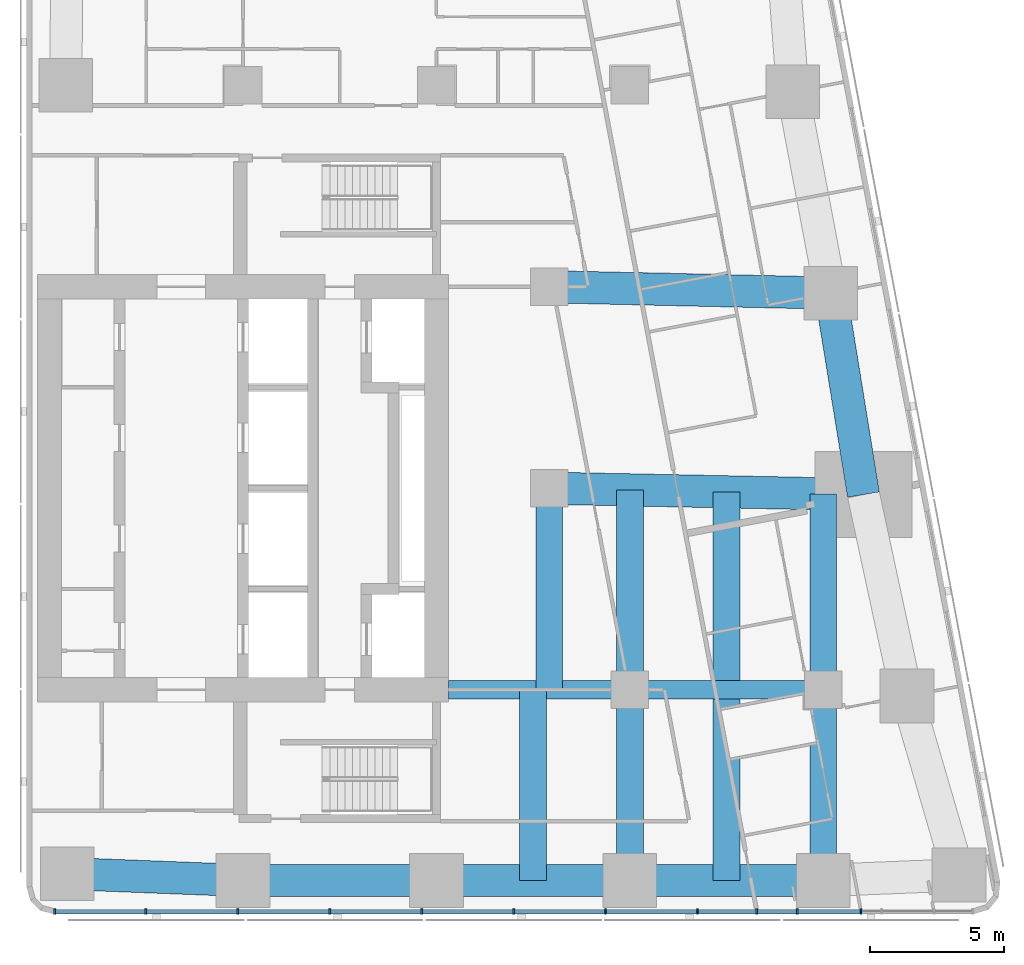
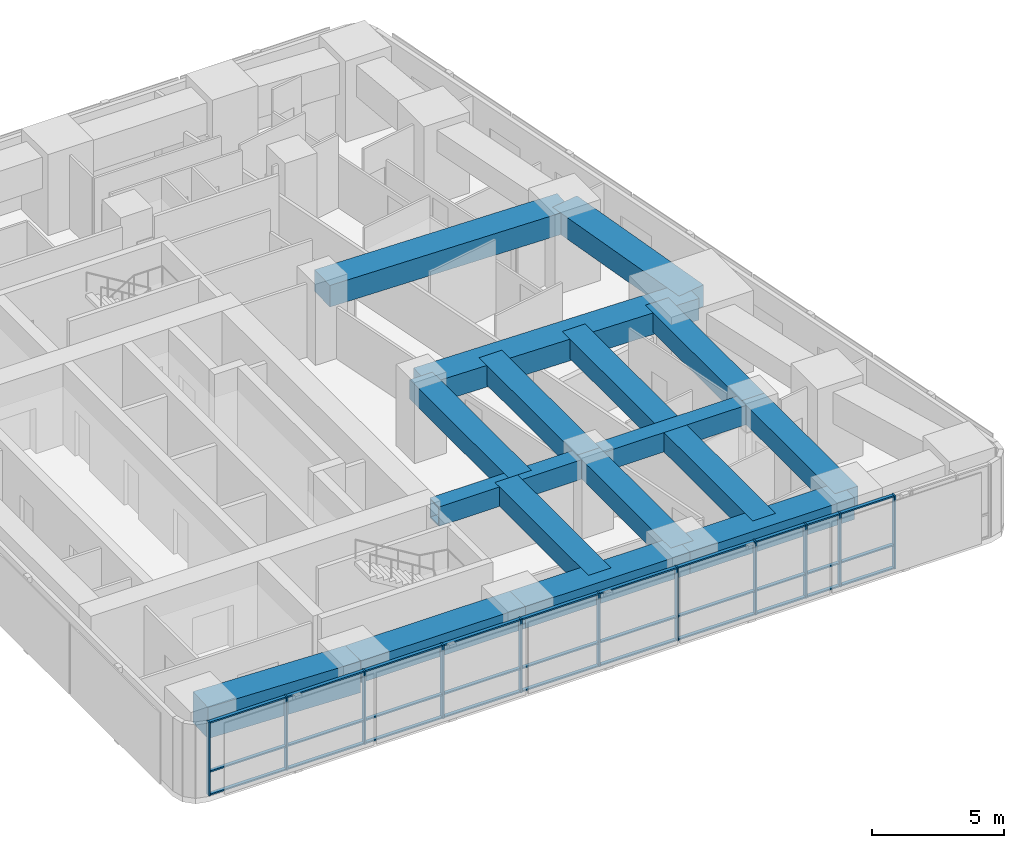
# One storey, part 2 of 10: 41 members, 17 beams, 1 element without a shape of its own.
"""IFC4 building model written with IfcOpenShell, lengths in metres."""

from ifc_helpers import new_model, si_unit, direction, frame, origin, origin_2d, place, context, subcontext, project, spatial, rectangle, hollow_rectangle, extrude, material, material_profile, profile_set, type_object, element, aggregate, save


model = new_model("IFC4")

# Units and contexts
model_context = context("Model", 3, precision=1e-05, world=origin(), true_north=direction((0.0, 1.0)))
body_context = subcontext(model_context, "Body", "Model", "MODEL_VIEW")
ifc_project = project(units=[si_unit("LENGTHUNIT", "METRE"), si_unit("AREAUNIT", "SQUARE_METRE"), si_unit("VOLUMEUNIT", "CUBIC_METRE"), si_unit("PLANEANGLEUNIT", "RADIAN"), si_unit("MASSUNIT", "GRAM", prefix="KILO")], contexts=[model_context])

# Site, building, storey
site_placement = place(None, origin())
site = spatial("IfcSite", under=ifc_project, at=site_placement, CompositionType="ELEMENT")
building_placement = place(site_placement, origin())
building = spatial("IfcBuilding", under=site, at=building_placement, Name="Sheger Commons Tower", CompositionType="ELEMENT")
storey_placement = place(building_placement, frame((0.0, 0.0, 292.85009765625)))
storey = spatial("IfcBuildingStorey", under=building, at=storey_placement, Name="L75", CompositionType="ELEMENT", Elevation=292.85009765625)

# Beams
ifc_material_1 = material(Name="Concrete C50/60", Category="concrete")
ifc_material_profile_1 = material_profile(ifc_material_1, rectangle(XDim=1.0, YDim=0.89990234375, at=origin_2d()), Name="RC 1000x900")
ifc_profile_set_1 = profile_set([ifc_material_profile_1], Name="Concrete C50/60")
beam_type_1 = type_object("IfcBeamType", Name="BEAM RC 1000x900", PredefinedType="BEAM", material=ifc_profile_set_1)
for number, where, z_axis, x_axis, name in (
    (1, (32.39990234375, 7.89990234375, 2.949951171875), (0.0, 1.0, 0.0), (-1.0, 0.0, 0.0), "Tank room beam 32.400,7.900-32.400,15.000 under L76"),
    (2, (36.0, 7.89990234375, 2.949951171875), (0.0, 1.0, 0.0), (-1.0, 0.0, 0.0), "Tank room beam 36.000,7.900-36.000,15.000 under L76"),
):
    element("IfcBeam", number, at=place(storey_placement, frame(where, z_axis=z_axis, x_axis=x_axis)), inside=storey, type_object=beam_type_1, Name=name, PredefinedType="BEAM", context=body_context, shape_type="SweptSolid", body=[
        extrude(rectangle(XDim=1.0, YDim=0.89990234375, at=origin_2d()), origin(), (0.0, 0.0, 1.0), 7.10009765625),
    ])
beam_1_placement = place(storey_placement, frame((39.60009765625, 7.89990234375, 2.949951171875), z_axis=(0.0, 1.0, 0.0), x_axis=(-1.0, 0.0, 0.0)))
element("IfcBeam", 3, at=beam_1_placement, inside=storey, type_object=beam_type_1, Name="Tank room beam 39.600,7.900-39.600,15.000 under L76", PredefinedType="BEAM", context=body_context, shape_type="SweptSolid", body=[
    extrude(rectangle(XDim=1.0, YDim=0.89990234375, at=origin_2d()), origin(), (0.0, 0.0, 1.0), 6.75),
])
beam_2_placement = place(storey_placement, frame((43.199951171875, 7.89990234375, 2.949951171875), z_axis=(0.0, 1.0, 0.0), x_axis=(-1.0, 0.0, 0.0)))
element("IfcBeam", 4, at=beam_2_placement, inside=storey, type_object=beam_type_1, Name="Tank room beam 43.200,7.900-43.200,15.000 under L76", PredefinedType="BEAM", context=body_context, shape_type="SweptSolid", body=[
    extrude(rectangle(XDim=1.0, YDim=0.89990234375, at=origin_2d()), origin(), (0.0, 0.0, 1.0), 7.10009765625),
])
beam_3_placement = place(storey_placement, frame((33.0, 15.0, 2.949951171875), z_axis=(0.0, 1.0, 0.0), x_axis=(-1.0, 0.0, 0.0)))
element("IfcBeam", 5, at=beam_3_placement, inside=storey, type_object=beam_type_1, Name="Tank room beam 33.000,15.000-33.000,22.500 under L76", PredefinedType="BEAM", context=body_context, shape_type="SweptSolid", body=[
    extrude(rectangle(XDim=1.0, YDim=0.89990234375, at=origin_2d()), origin(), (0.0, 0.0, 1.0), 7.5),
])
beam_4_placement = place(storey_placement, frame((36.0, 15.0, 2.949951171875), z_axis=(0.0, 1.0, 0.0), x_axis=(-1.0, 0.0, 0.0)))
element("IfcBeam", 6, at=beam_4_placement, inside=storey, type_object=beam_type_1, Name="Tank room beam 36.000,15.000-36.000,22.439 under L76", PredefinedType="BEAM", context=body_context, shape_type="SweptSolid", body=[
    extrude(rectangle(XDim=1.0, YDim=0.89990234375, at=origin_2d()), origin(), (0.0, 0.0, 1.0), 7.43896484375),
])
beam_5_placement = place(storey_placement, frame((39.60009765625, 15.35009765625, 2.949951171875), z_axis=(0.0, 1.0, 0.0), x_axis=(-1.0, 0.0, 0.0)))
element("IfcBeam", 7, at=beam_5_placement, inside=storey, type_object=beam_type_1, Name="Tank room beam 39.600,15.000-39.600,22.366 under L76", PredefinedType="BEAM", context=body_context, shape_type="SweptSolid", body=[
    extrude(rectangle(XDim=1.0, YDim=0.89990234375, at=origin_2d()), origin(), (0.0, 0.0, 1.0), 7.015869140625),
])
beam_6_placement = place(storey_placement, frame((43.199951171875, 15.0, 2.949951171875), z_axis=(0.0, 1.0, 0.0), x_axis=(-1.0, 0.0, 0.0)))
element("IfcBeam", 8, at=beam_6_placement, inside=storey, type_object=beam_type_1, Name="Tank room beam 43.200,15.000-43.200,22.293 under L76", PredefinedType="BEAM", context=body_context, shape_type="SweptSolid", body=[
    extrude(rectangle(XDim=1.0, YDim=0.89990234375, at=origin_2d()), origin(), (0.0, 0.0, 1.0), 7.29296875),
])
ifc_material_2 = material(Name="Concrete C50/60", Category="concrete")
ifc_material_profile_2 = material_profile(ifc_material_2, rectangle(XDim=1.199951171875, YDim=1.0, at=origin_2d()), Name="RC 1200x1000")
ifc_profile_set_2 = profile_set([ifc_material_profile_2], Name="Concrete C50/60")
beam_type_2 = type_object("IfcBeamType", Name="BEAM RC 1200x1000", PredefinedType="BEAM", material=ifc_profile_set_2)
beam_7_placement = place(storey_placement, frame((33.0, 22.5, 2.89990234375), z_axis=(0.999794692776, -0.02026258368, 0.0), x_axis=(0.02026258368, 0.999794692776, 0.0)))
element("IfcBeam", 9, at=beam_7_placement, inside=storey, type_object=beam_type_2, Name="Beam 6-3000/D-7/D under L76", PredefinedType="BEAM", context=body_context, shape_type="SweptSolid", body=[
    extrude(rectangle(XDim=1.199951171875, YDim=1.0, at=origin_2d()), origin(), (0.0, 0.0, 1.0), 11.699462890625),
])
beam_8_placement = place(storey_placement, frame((33.0, 30.0, 2.89990234375), z_axis=(0.999744258625, -0.022614538395, 0.0), x_axis=(0.022614538395, 0.999744258625, 0.0)))
element("IfcBeam", 10, at=beam_8_placement, inside=storey, type_object=beam_type_2, Name="Beam 6-3000/E-E/E under L76", PredefinedType="BEAM", context=body_context, shape_type="SweptSolid", body=[
    extrude(rectangle(XDim=1.199951171875, YDim=1.0, at=origin_2d()), origin(), (0.0, 0.0, 1.0), 10.482666015625),
])

# Curtain wall, members
ifc_material_3 = material(Name="Black aluminium curtain wall, dark tinted glazing", Category="aluminium")
curtain_wall_type = type_object("IfcCurtainWallType", Name="CURTAIN WALL CW5 SOUTH GALLERY", PredefinedType="USERDEFINED", material=ifc_material_3)
curtain_wall_placement = place(storey_placement, origin())
curtain_wall = element("IfcCurtainWall", 11, at=curtain_wall_placement, inside=storey, type_object=curtain_wall_type, Name="Curtain Wall Cw5 South Gallery S1 L75", ObjectType="UNITISED CURTAIN WALL", PredefinedType="USERDEFINED")
ifc_material_4 = material(Name="Black anodised aluminium", Category="aluminium")
ifc_material_profile_3 = material_profile(ifc_material_4, rectangle(XDim=0.199951171875, YDim=0.06494140625, at=origin_2d()), Name="AL 65x200")
ifc_profile_set_3 = profile_set([ifc_material_profile_3], Name="Black anodised aluminium")
member_type_1 = type_object("IfcMemberType", Name="MULLION AL 65x200", PredefinedType="MULLION", material=ifc_profile_set_3)
member_1_placement = place(storey_placement, frame((14.595458984375, 6.75, 0.0), z_axis=(0.0, 0.0, 1.0), x_axis=(0.0, 1.0, 0.0)))
member_1 = element("IfcMember", 12, at=member_1_placement, type_object=member_type_1, Name="CW5 mullion 1", PredefinedType="MULLION", context=body_context, shape_type="SweptSolid", body=[
    extrude(rectangle(XDim=0.199951171875, YDim=0.06494140625, at=origin_2d()), origin(), (0.0, 0.0, 1.0), 3.39990234375),
])
member_2_placement = place(storey_placement, frame((17.985107421875, 6.75, 0.0), z_axis=(0.0, 0.0, 1.0), x_axis=(0.0, 1.0, 0.0)))
member_2 = element("IfcMember", 13, at=member_2_placement, type_object=member_type_1, Name="CW5 mullion 2", PredefinedType="MULLION", context=body_context, shape_type="SweptSolid", body=[
    extrude(rectangle(XDim=0.199951171875, YDim=0.06494140625, at=origin_2d()), origin(), (0.0, 0.0, 1.0), 3.39990234375),
])
member_3_placement = place(storey_placement, frame((21.407958984375, 6.75, 0.0), z_axis=(0.0, 0.0, 1.0), x_axis=(0.0, 1.0, 0.0)))
member_3 = element("IfcMember", 14, at=member_3_placement, type_object=member_type_1, Name="CW5 mullion 3", PredefinedType="MULLION", context=body_context, shape_type="SweptSolid", body=[
    extrude(rectangle(XDim=0.199951171875, YDim=0.06494140625, at=origin_2d()), origin(), (0.0, 0.0, 1.0), 3.39990234375),
])
member_4_placement = place(storey_placement, frame((24.830078125, 6.75, 0.0), z_axis=(0.0, 0.0, 1.0), x_axis=(0.0, 1.0, 0.0)))
member_4 = element("IfcMember", 15, at=member_4_placement, type_object=member_type_1, Name="CW5 mullion 4", PredefinedType="MULLION", context=body_context, shape_type="SweptSolid", body=[
    extrude(rectangle(XDim=0.199951171875, YDim=0.06494140625, at=origin_2d()), origin(), (0.0, 0.0, 1.0), 3.39990234375),
])
member_5_placement = place(storey_placement, frame((28.2529296875, 6.75, 0.0), z_axis=(0.0, 0.0, 1.0), x_axis=(0.0, 1.0, 0.0)))
member_5 = element("IfcMember", 16, at=member_5_placement, type_object=member_type_1, Name="CW5 mullion 5", PredefinedType="MULLION", context=body_context, shape_type="SweptSolid", body=[
    extrude(rectangle(XDim=0.199951171875, YDim=0.06494140625, at=origin_2d()), origin(), (0.0, 0.0, 1.0), 3.39990234375),
])
member_6_placement = place(storey_placement, frame((31.675048828125, 6.75, 0.0), z_axis=(0.0, 0.0, 1.0), x_axis=(0.0, 1.0, 0.0)))
member_6 = element("IfcMember", 17, at=member_6_placement, type_object=member_type_1, Name="CW5 mullion 6", PredefinedType="MULLION", context=body_context, shape_type="SweptSolid", body=[
    extrude(rectangle(XDim=0.199951171875, YDim=0.06494140625, at=origin_2d()), origin(), (0.0, 0.0, 1.0), 3.39990234375),
])
member_7_placement = place(storey_placement, frame((35.096923828125, 6.75, 0.0), z_axis=(0.0, 0.0, 1.0), x_axis=(0.0, 1.0, 0.0)))
member_7 = element("IfcMember", 18, at=member_7_placement, type_object=member_type_1, Name="CW5 mullion 7", PredefinedType="MULLION", context=body_context, shape_type="SweptSolid", body=[
    extrude(rectangle(XDim=0.199951171875, YDim=0.06494140625, at=origin_2d()), origin(), (0.0, 0.0, 1.0), 3.39990234375),
])
member_8_placement = place(storey_placement, frame((38.52001953125, 6.75, 0.0), z_axis=(0.0, 0.0, 1.0), x_axis=(0.0, 1.0, 0.0)))
member_8 = element("IfcMember", 19, at=member_8_placement, type_object=member_type_1, Name="CW5 mullion 8", PredefinedType="MULLION", context=body_context, shape_type="SweptSolid", body=[
    extrude(rectangle(XDim=0.199951171875, YDim=0.06494140625, at=origin_2d()), origin(), (0.0, 0.0, 1.0), 3.39990234375),
])
member_9_placement = place(storey_placement, frame((40.72900390625, 6.75, 0.0), z_axis=(0.0, 0.0, 1.0), x_axis=(0.0, 1.0, 0.0)))
member_9 = element("IfcMember", 20, at=member_9_placement, type_object=member_type_1, Name="CW5 mullion 9", PredefinedType="MULLION", context=body_context, shape_type="SweptSolid", body=[
    extrude(rectangle(XDim=0.199951171875, YDim=0.06494140625, at=origin_2d()), origin(), (0.0, 0.0, 1.0), 3.39990234375),
])
member_10_placement = place(storey_placement, frame((42.22802734375, 6.75, 0.0), z_axis=(0.0, 0.0, 1.0), x_axis=(0.0, 1.0, 0.0)))
member_10 = element("IfcMember", 21, at=member_10_placement, type_object=member_type_1, Name="CW5 mullion 10", PredefinedType="MULLION", context=body_context, shape_type="SweptSolid", body=[
    extrude(rectangle(XDim=0.199951171875, YDim=0.06494140625, at=origin_2d()), origin(), (0.0, 0.0, 1.0), 3.39990234375),
])
member_11_placement = place(storey_placement, frame((44.60595703125, 6.75, 0.0), z_axis=(0.0, 0.0, 1.0), x_axis=(0.0, 1.0, 0.0)))
member_11 = element("IfcMember", 22, at=member_11_placement, type_object=member_type_1, Name="CW5 mullion 11", PredefinedType="MULLION", context=body_context, shape_type="SweptSolid", body=[
    extrude(rectangle(XDim=0.199951171875, YDim=0.06494140625, at=origin_2d()), origin(), (0.0, 0.0, 1.0), 3.39990234375),
])

# Beams
ifc_material_5 = material(Name="Concrete C50/60", Category="concrete")
ifc_material_profile_4 = material_profile(ifc_material_5, rectangle(XDim=1.199951171875, YDim=1.0, at=origin_2d()), Name="RC 1200x1000")
ifc_profile_set_4 = profile_set([ifc_material_profile_4], Name="Concrete C50/60")
beam_type_3 = type_object("IfcBeamType", Name="SPANDREL RC 1200x1000", PredefinedType="SPANDREL", material=ifc_profile_set_4)
for number, where, z_axis, x_axis, name in (
    (23, (21.60009765625, 7.89990234375, 2.89990234375), (1.0, 0.0, 0.0), (0.0, 1.0, 0.0), "Beam 4/B-5/B under L76"),
    (24, (28.800048828125, 7.89990234375, 2.89990234375), (1.0, 0.0, 0.0), (0.0, 1.0, 0.0), "Beam 5/B-6/B under L76"),
    (25, (36.0, 7.89990234375, 2.89990234375), (1.0, 0.0, 0.0), (0.0, 1.0, 0.0), "Beam 6/B-7/B under L76"),
):
    element("IfcBeam", number, at=place(storey_placement, frame(where, z_axis=z_axis, x_axis=x_axis)), inside=storey, type_object=beam_type_3, Name=name, PredefinedType="SPANDREL", context=body_context, shape_type="SweptSolid", body=[
        extrude(rectangle(XDim=1.199951171875, YDim=1.0, at=origin_2d()), origin(), (0.0, 0.0, 1.0), 7.199951171875),
    ])
beam_9_placement = place(storey_placement, frame((44.697021484375, 22.262939453125, 2.89990234375), z_axis=(-0.160176929512, 0.987088319884, 0.0), x_axis=(-0.987088319884, -0.160176929512, 0.0)))
element("IfcBeam", 26, at=beam_9_placement, inside=storey, type_object=beam_type_3, Name="Beam E/D-E/E under L76", PredefinedType="SPANDREL", context=body_context, shape_type="SweptSolid", body=[
    extrude(rectangle(XDim=1.199951171875, YDim=1.0, at=origin_2d()), origin(), (0.0, 0.0, 1.0), 7.59814453125),
])
ifc_material_6 = material(Name="Concrete C50/60", Category="concrete")
ifc_material_profile_5 = material_profile(ifc_material_6, rectangle(XDim=1.199951171875, YDim=1.449951171875, at=origin_2d()), Name="RC 1200x1450")
ifc_profile_set_5 = profile_set([ifc_material_profile_5], Name="Concrete C50/60")
beam_type_4 = type_object("IfcBeamType", Name="SPANDREL RC 1200x1450", PredefinedType="SPANDREL", material=ifc_profile_set_5)
beam_10_placement = place(storey_placement, frame((15.053955078125, 8.154052734375, 2.6748046875), z_axis=(0.999247181966, -0.038795223079, 0.0), x_axis=(0.038795223079, 0.999247181966, 0.0)))
element("IfcBeam", 27, at=beam_10_placement, inside=storey, type_object=beam_type_4, Name="Beam 3/B-4/B under L76", PredefinedType="SPANDREL", context=body_context, shape_type="SweptSolid", body=[
    extrude(rectangle(XDim=1.199951171875, YDim=1.449951171875, at=origin_2d()), origin(), (0.0, 0.0, 1.0), 6.551025390625),
])
ifc_material_7 = material(Name="Steel S355", Category="steel")
ifc_material_profile_6 = material_profile(ifc_material_7, hollow_rectangle(XDim=0.699951171875, YDim=0.89990234375, WallThickness=0.050048828125, at=origin_2d()), Name="BOX 900x700x50")
ifc_profile_set_6 = profile_set([ifc_material_profile_6], Name="Steel S355")
beam_type_5 = type_object("IfcBeamType", Name="STEEL TANK GIRDER BOX 900x700x50", PredefinedType="BEAM", material=ifc_profile_set_6)
beam_11_placement = place(storey_placement, frame((29.25, 15.0, 2.949951171875), z_axis=(1.0, 0.0, 0.0), x_axis=(0.0, 1.0, 0.0)))
element("IfcBeam", 28, at=beam_11_placement, inside=storey, type_object=beam_type_5, Name="Tank room beam 29.250,15.000-36.000,15.000 under L76", PredefinedType="BEAM", context=body_context, shape_type="SweptSolid", body=[
    extrude(hollow_rectangle(XDim=0.699951171875, YDim=0.89990234375, WallThickness=0.050048828125, at=origin_2d()), origin(), (0.0, 0.0, 1.0), 6.75),
])
beam_12_placement = place(storey_placement, frame((36.0, 15.0, 2.949951171875), z_axis=(1.0, 0.0, 0.0), x_axis=(0.0, 1.0, 0.0)))
element("IfcBeam", 29, at=beam_12_placement, inside=storey, type_object=beam_type_5, Name="Tank room beam 36.000,15.000-43.200,15.000 under L76", PredefinedType="BEAM", context=body_context, shape_type="SweptSolid", body=[
    extrude(hollow_rectangle(XDim=0.699951171875, YDim=0.89990234375, WallThickness=0.050048828125, at=origin_2d()), origin(), (0.0, 0.0, 1.0), 7.199951171875),
])

# Member
ifc_material_8 = material(Name="Black anodised aluminium", Category="aluminium")
ifc_material_profile_7 = material_profile(ifc_material_8, rectangle(XDim=0.14990234375, YDim=0.06494140625, at=origin_2d()), Name="AL 65x150")
ifc_profile_set_7 = profile_set([ifc_material_profile_7], Name="Black anodised aluminium")
member_type_2 = type_object("IfcMemberType", Name="TRANSOM AL 65x150", PredefinedType="USERDEFINED", material=ifc_profile_set_7)
member_12_placement = place(storey_placement, frame((14.6279296875, 6.75, 0.032470703125), z_axis=(1.0, 0.0, 0.0), x_axis=(0.0, 1.0, 0.0)))
member_12 = element("IfcMember", 30, at=member_12_placement, type_object=member_type_2, Name="CW5 transom 1.1", ObjectType="TRANSOM", PredefinedType="USERDEFINED", context=body_context, shape_type="SweptSolid", body=[
    extrude(rectangle(XDim=0.14990234375, YDim=0.06494140625, at=origin_2d()), origin(), (0.0, 0.0, 1.0), 3.324462890625),
])

member_13_placement = place(storey_placement, frame((14.6279296875, 6.75, 1.099853515625), z_axis=(1.0, 0.0, 0.0), x_axis=(0.0, 1.0, 0.0)))
member_13 = element("IfcMember", 31, at=member_13_placement, type_object=member_type_2, Name="CW5 transom 1.2", ObjectType="TRANSOM", PredefinedType="USERDEFINED", context=body_context, shape_type="SweptSolid", body=[
    extrude(rectangle(XDim=0.14990234375, YDim=0.06494140625, at=origin_2d()), origin(), (0.0, 0.0, 1.0), 3.324462890625),
])

member_14_placement = place(storey_placement, frame((14.6279296875, 6.75, 3.367431640625), z_axis=(1.0, 0.0, 0.0), x_axis=(0.0, 1.0, 0.0)))
member_14 = element("IfcMember", 32, at=member_14_placement, type_object=member_type_2, Name="CW5 transom 1.3", ObjectType="TRANSOM", PredefinedType="USERDEFINED", context=body_context, shape_type="SweptSolid", body=[
    extrude(rectangle(XDim=0.14990234375, YDim=0.06494140625, at=origin_2d()), origin(), (0.0, 0.0, 1.0), 3.324462890625),
])

member_15_placement = place(storey_placement, frame((18.017578125, 6.75, 0.032470703125), z_axis=(1.0, 0.0, 0.0), x_axis=(0.0, 1.0, 0.0)))
member_15 = element("IfcMember", 33, at=member_15_placement, type_object=member_type_2, Name="CW5 transom 2.1", ObjectType="TRANSOM", PredefinedType="USERDEFINED", context=body_context, shape_type="SweptSolid", body=[
    extrude(rectangle(XDim=0.14990234375, YDim=0.06494140625, at=origin_2d()), origin(), (0.0, 0.0, 1.0), 3.35791015625),
])

member_16_placement = place(storey_placement, frame((18.017578125, 6.75, 1.099853515625), z_axis=(1.0, 0.0, 0.0), x_axis=(0.0, 1.0, 0.0)))
member_16 = element("IfcMember", 34, at=member_16_placement, type_object=member_type_2, Name="CW5 transom 2.2", ObjectType="TRANSOM", PredefinedType="USERDEFINED", context=body_context, shape_type="SweptSolid", body=[
    extrude(rectangle(XDim=0.14990234375, YDim=0.06494140625, at=origin_2d()), origin(), (0.0, 0.0, 1.0), 3.35791015625),
])

member_17_placement = place(storey_placement, frame((18.017578125, 6.75, 3.367431640625), z_axis=(1.0, 0.0, 0.0), x_axis=(0.0, 1.0, 0.0)))
member_17 = element("IfcMember", 35, at=member_17_placement, type_object=member_type_2, Name="CW5 transom 2.3", ObjectType="TRANSOM", PredefinedType="USERDEFINED", context=body_context, shape_type="SweptSolid", body=[
    extrude(rectangle(XDim=0.14990234375, YDim=0.06494140625, at=origin_2d()), origin(), (0.0, 0.0, 1.0), 3.35791015625),
])

member_18_placement = place(storey_placement, frame((21.4404296875, 6.75, 0.032470703125), z_axis=(1.0, 0.0, 0.0), x_axis=(0.0, 1.0, 0.0)))
member_18 = element("IfcMember", 36, at=member_18_placement, type_object=member_type_2, Name="CW5 transom 3.1", ObjectType="TRANSOM", PredefinedType="USERDEFINED", context=body_context, shape_type="SweptSolid", body=[
    extrude(rectangle(XDim=0.14990234375, YDim=0.06494140625, at=origin_2d()), origin(), (0.0, 0.0, 1.0), 3.357177734375),
])

member_19_placement = place(storey_placement, frame((21.4404296875, 6.75, 1.099853515625), z_axis=(1.0, 0.0, 0.0), x_axis=(0.0, 1.0, 0.0)))
member_19 = element("IfcMember", 37, at=member_19_placement, type_object=member_type_2, Name="CW5 transom 3.2", ObjectType="TRANSOM", PredefinedType="USERDEFINED", context=body_context, shape_type="SweptSolid", body=[
    extrude(rectangle(XDim=0.14990234375, YDim=0.06494140625, at=origin_2d()), origin(), (0.0, 0.0, 1.0), 3.357177734375),
])

member_20_placement = place(storey_placement, frame((21.4404296875, 6.75, 3.367431640625), z_axis=(1.0, 0.0, 0.0), x_axis=(0.0, 1.0, 0.0)))
member_20 = element("IfcMember", 38, at=member_20_placement, type_object=member_type_2, Name="CW5 transom 3.3", ObjectType="TRANSOM", PredefinedType="USERDEFINED", context=body_context, shape_type="SweptSolid", body=[
    extrude(rectangle(XDim=0.14990234375, YDim=0.06494140625, at=origin_2d()), origin(), (0.0, 0.0, 1.0), 3.357177734375),
])

member_21_placement = place(storey_placement, frame((24.862548828125, 6.75, 0.032470703125), z_axis=(1.0, 0.0, 0.0), x_axis=(0.0, 1.0, 0.0)))
member_21 = element("IfcMember", 39, at=member_21_placement, type_object=member_type_2, Name="CW5 transom 4.1", ObjectType="TRANSOM", PredefinedType="USERDEFINED", context=body_context, shape_type="SweptSolid", body=[
    extrude(rectangle(XDim=0.14990234375, YDim=0.06494140625, at=origin_2d()), origin(), (0.0, 0.0, 1.0), 3.35791015625),
])

member_22_placement = place(storey_placement, frame((24.862548828125, 6.75, 1.099853515625), z_axis=(1.0, 0.0, 0.0), x_axis=(0.0, 1.0, 0.0)))
member_22 = element("IfcMember", 40, at=member_22_placement, type_object=member_type_2, Name="CW5 transom 4.2", ObjectType="TRANSOM", PredefinedType="USERDEFINED", context=body_context, shape_type="SweptSolid", body=[
    extrude(rectangle(XDim=0.14990234375, YDim=0.06494140625, at=origin_2d()), origin(), (0.0, 0.0, 1.0), 3.35791015625),
])

member_23_placement = place(storey_placement, frame((24.862548828125, 6.75, 3.367431640625), z_axis=(1.0, 0.0, 0.0), x_axis=(0.0, 1.0, 0.0)))
member_23 = element("IfcMember", 41, at=member_23_placement, type_object=member_type_2, Name="CW5 transom 4.3", ObjectType="TRANSOM", PredefinedType="USERDEFINED", context=body_context, shape_type="SweptSolid", body=[
    extrude(rectangle(XDim=0.14990234375, YDim=0.06494140625, at=origin_2d()), origin(), (0.0, 0.0, 1.0), 3.35791015625),
])

member_24_placement = place(storey_placement, frame((28.285400390625, 6.75, 0.032470703125), z_axis=(1.0, 0.0, 0.0), x_axis=(0.0, 1.0, 0.0)))
member_24 = element("IfcMember", 42, at=member_24_placement, type_object=member_type_2, Name="CW5 transom 5.1", ObjectType="TRANSOM", PredefinedType="USERDEFINED", context=body_context, shape_type="SweptSolid", body=[
    extrude(rectangle(XDim=0.14990234375, YDim=0.06494140625, at=origin_2d()), origin(), (0.0, 0.0, 1.0), 3.357177734375),
])

member_25_placement = place(storey_placement, frame((28.285400390625, 6.75, 1.099853515625), z_axis=(1.0, 0.0, 0.0), x_axis=(0.0, 1.0, 0.0)))
member_25 = element("IfcMember", 43, at=member_25_placement, type_object=member_type_2, Name="CW5 transom 5.2", ObjectType="TRANSOM", PredefinedType="USERDEFINED", context=body_context, shape_type="SweptSolid", body=[
    extrude(rectangle(XDim=0.14990234375, YDim=0.06494140625, at=origin_2d()), origin(), (0.0, 0.0, 1.0), 3.357177734375),
])

member_26_placement = place(storey_placement, frame((28.285400390625, 6.75, 3.367431640625), z_axis=(1.0, 0.0, 0.0), x_axis=(0.0, 1.0, 0.0)))
member_26 = element("IfcMember", 44, at=member_26_placement, type_object=member_type_2, Name="CW5 transom 5.3", ObjectType="TRANSOM", PredefinedType="USERDEFINED", context=body_context, shape_type="SweptSolid", body=[
    extrude(rectangle(XDim=0.14990234375, YDim=0.06494140625, at=origin_2d()), origin(), (0.0, 0.0, 1.0), 3.357177734375),
])

member_27_placement = place(storey_placement, frame((31.70751953125, 6.75, 0.032470703125), z_axis=(1.0, 0.0, 0.0), x_axis=(0.0, 1.0, 0.0)))
member_27 = element("IfcMember", 45, at=member_27_placement, type_object=member_type_2, Name="CW5 transom 6.1", ObjectType="TRANSOM", PredefinedType="USERDEFINED", context=body_context, shape_type="SweptSolid", body=[
    extrude(rectangle(XDim=0.14990234375, YDim=0.06494140625, at=origin_2d()), origin(), (0.0, 0.0, 1.0), 3.35693359375),
])

member_28_placement = place(storey_placement, frame((31.70751953125, 6.75, 1.099853515625), z_axis=(1.0, 0.0, 0.0), x_axis=(0.0, 1.0, 0.0)))
member_28 = element("IfcMember", 46, at=member_28_placement, type_object=member_type_2, Name="CW5 transom 6.2", ObjectType="TRANSOM", PredefinedType="USERDEFINED", context=body_context, shape_type="SweptSolid", body=[
    extrude(rectangle(XDim=0.14990234375, YDim=0.06494140625, at=origin_2d()), origin(), (0.0, 0.0, 1.0), 3.35693359375),
])

member_29_placement = place(storey_placement, frame((31.70751953125, 6.75, 3.367431640625), z_axis=(1.0, 0.0, 0.0), x_axis=(0.0, 1.0, 0.0)))
member_29 = element("IfcMember", 47, at=member_29_placement, type_object=member_type_2, Name="CW5 transom 6.3", ObjectType="TRANSOM", PredefinedType="USERDEFINED", context=body_context, shape_type="SweptSolid", body=[
    extrude(rectangle(XDim=0.14990234375, YDim=0.06494140625, at=origin_2d()), origin(), (0.0, 0.0, 1.0), 3.35693359375),
])

member_30_placement = place(storey_placement, frame((35.12939453125, 6.75, 0.032470703125), z_axis=(1.0, 0.0, 0.0), x_axis=(0.0, 1.0, 0.0)))
member_30 = element("IfcMember", 48, at=member_30_placement, type_object=member_type_2, Name="CW5 transom 7.1", ObjectType="TRANSOM", PredefinedType="USERDEFINED", context=body_context, shape_type="SweptSolid", body=[
    extrude(rectangle(XDim=0.14990234375, YDim=0.06494140625, at=origin_2d()), origin(), (0.0, 0.0, 1.0), 3.358154296875),
])

member_31_placement = place(storey_placement, frame((35.12939453125, 6.75, 1.099853515625), z_axis=(1.0, 0.0, 0.0), x_axis=(0.0, 1.0, 0.0)))
member_31 = element("IfcMember", 49, at=member_31_placement, type_object=member_type_2, Name="CW5 transom 7.2", ObjectType="TRANSOM", PredefinedType="USERDEFINED", context=body_context, shape_type="SweptSolid", body=[
    extrude(rectangle(XDim=0.14990234375, YDim=0.06494140625, at=origin_2d()), origin(), (0.0, 0.0, 1.0), 3.358154296875),
])

member_32_placement = place(storey_placement, frame((35.12939453125, 6.75, 3.367431640625), z_axis=(1.0, 0.0, 0.0), x_axis=(0.0, 1.0, 0.0)))
member_32 = element("IfcMember", 50, at=member_32_placement, type_object=member_type_2, Name="CW5 transom 7.3", ObjectType="TRANSOM", PredefinedType="USERDEFINED", context=body_context, shape_type="SweptSolid", body=[
    extrude(rectangle(XDim=0.14990234375, YDim=0.06494140625, at=origin_2d()), origin(), (0.0, 0.0, 1.0), 3.358154296875),
])

member_33_placement = place(storey_placement, frame((38.552490234375, 6.75, 0.032470703125), z_axis=(1.0, 0.0, 0.0), x_axis=(0.0, 1.0, 0.0)))
member_33 = element("IfcMember", 51, at=member_33_placement, type_object=member_type_2, Name="CW5 transom 8.1", ObjectType="TRANSOM", PredefinedType="USERDEFINED", context=body_context, shape_type="SweptSolid", body=[
    extrude(rectangle(XDim=0.14990234375, YDim=0.06494140625, at=origin_2d()), origin(), (0.0, 0.0, 1.0), 2.14404296875),
])

member_34_placement = place(storey_placement, frame((38.552490234375, 6.75, 1.099853515625), z_axis=(1.0, 0.0, 0.0), x_axis=(0.0, 1.0, 0.0)))
member_34 = element("IfcMember", 52, at=member_34_placement, type_object=member_type_2, Name="CW5 transom 8.2", ObjectType="TRANSOM", PredefinedType="USERDEFINED", context=body_context, shape_type="SweptSolid", body=[
    extrude(rectangle(XDim=0.14990234375, YDim=0.06494140625, at=origin_2d()), origin(), (0.0, 0.0, 1.0), 2.14404296875),
])

member_35_placement = place(storey_placement, frame((38.552490234375, 6.75, 3.367431640625), z_axis=(1.0, 0.0, 0.0), x_axis=(0.0, 1.0, 0.0)))
member_35 = element("IfcMember", 53, at=member_35_placement, type_object=member_type_2, Name="CW5 transom 8.3", ObjectType="TRANSOM", PredefinedType="USERDEFINED", context=body_context, shape_type="SweptSolid", body=[
    extrude(rectangle(XDim=0.14990234375, YDim=0.06494140625, at=origin_2d()), origin(), (0.0, 0.0, 1.0), 2.14404296875),
])

member_36_placement = place(storey_placement, frame((40.761474609375, 6.75, 0.032470703125), z_axis=(1.0, 0.0, 0.0), x_axis=(0.0, 1.0, 0.0)))
member_36 = element("IfcMember", 54, at=member_36_placement, type_object=member_type_2, Name="CW5 transom 9.1", ObjectType="TRANSOM", PredefinedType="USERDEFINED", context=body_context, shape_type="SweptSolid", body=[
    extrude(rectangle(XDim=0.14990234375, YDim=0.06494140625, at=origin_2d()), origin(), (0.0, 0.0, 1.0), 1.43408203125),
])

member_37_placement = place(storey_placement, frame((40.761474609375, 6.75, 1.099853515625), z_axis=(1.0, 0.0, 0.0), x_axis=(0.0, 1.0, 0.0)))
member_37 = element("IfcMember", 55, at=member_37_placement, type_object=member_type_2, Name="CW5 transom 9.2", ObjectType="TRANSOM", PredefinedType="USERDEFINED", context=body_context, shape_type="SweptSolid", body=[
    extrude(rectangle(XDim=0.14990234375, YDim=0.06494140625, at=origin_2d()), origin(), (0.0, 0.0, 1.0), 1.43408203125),
])

member_38_placement = place(storey_placement, frame((40.761474609375, 6.75, 3.367431640625), z_axis=(1.0, 0.0, 0.0), x_axis=(0.0, 1.0, 0.0)))
member_38 = element("IfcMember", 56, at=member_38_placement, type_object=member_type_2, Name="CW5 transom 9.3", ObjectType="TRANSOM", PredefinedType="USERDEFINED", context=body_context, shape_type="SweptSolid", body=[
    extrude(rectangle(XDim=0.14990234375, YDim=0.06494140625, at=origin_2d()), origin(), (0.0, 0.0, 1.0), 1.43408203125),
])

member_39_placement = place(storey_placement, frame((42.260498046875, 6.75, 0.032470703125), z_axis=(1.0, 0.0, 0.0), x_axis=(0.0, 1.0, 0.0)))
member_39 = element("IfcMember", 57, at=member_39_placement, type_object=member_type_2, Name="CW5 transom 10.1", ObjectType="TRANSOM", PredefinedType="USERDEFINED", context=body_context, shape_type="SweptSolid", body=[
    extrude(rectangle(XDim=0.14990234375, YDim=0.06494140625, at=origin_2d()), origin(), (0.0, 0.0, 1.0), 2.31298828125),
])

member_40_placement = place(storey_placement, frame((42.260498046875, 6.75, 1.099853515625), z_axis=(1.0, 0.0, 0.0), x_axis=(0.0, 1.0, 0.0)))
member_40 = element("IfcMember", 58, at=member_40_placement, type_object=member_type_2, Name="CW5 transom 10.2", ObjectType="TRANSOM", PredefinedType="USERDEFINED", context=body_context, shape_type="SweptSolid", body=[
    extrude(rectangle(XDim=0.14990234375, YDim=0.06494140625, at=origin_2d()), origin(), (0.0, 0.0, 1.0), 2.31298828125),
])

member_41_placement = place(storey_placement, frame((42.260498046875, 6.75, 3.367431640625), z_axis=(1.0, 0.0, 0.0), x_axis=(0.0, 1.0, 0.0)))
member_41 = element("IfcMember", 59, at=member_41_placement, type_object=member_type_2, Name="CW5 transom 10.3", ObjectType="TRANSOM", PredefinedType="USERDEFINED", context=body_context, shape_type="SweptSolid", body=[
    extrude(rectangle(XDim=0.14990234375, YDim=0.06494140625, at=origin_2d()), origin(), (0.0, 0.0, 1.0), 2.31298828125),
])

aggregate(curtain_wall, [member_1, member_2, member_3, member_4, member_5, member_6, member_7, member_8, member_9, member_10, member_11, member_12, member_13, member_14, member_15, member_16, member_17, member_18, member_19, member_20, member_21, member_22, member_23, member_24, member_25, member_26, member_27, member_28, member_29, member_30, member_31, member_32, member_33, member_34, member_35, member_36, member_37, member_38, member_39, member_40, member_41])

save(model, "model.ifc")
